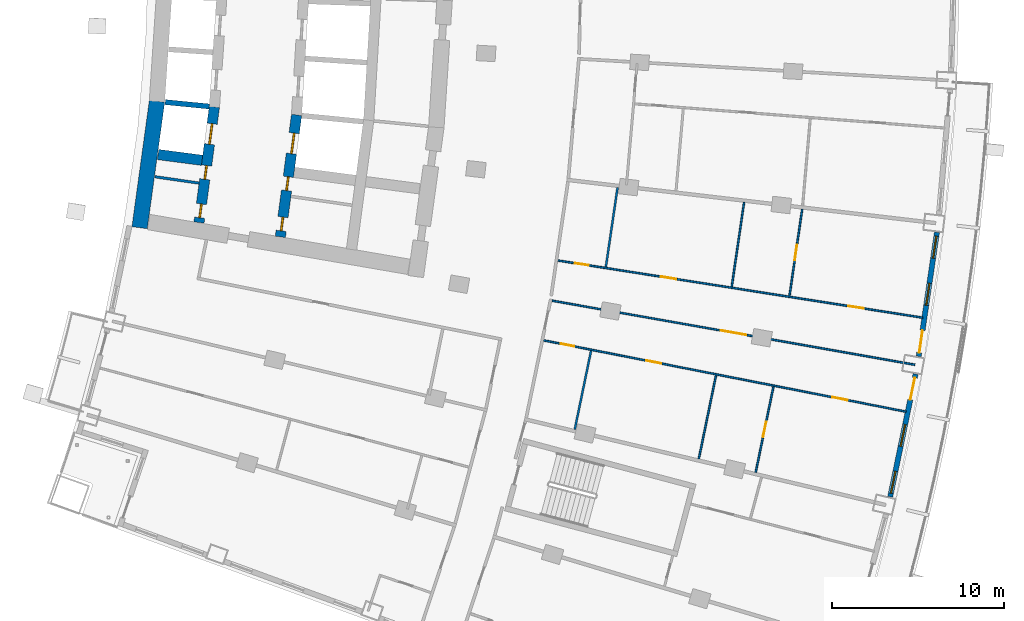
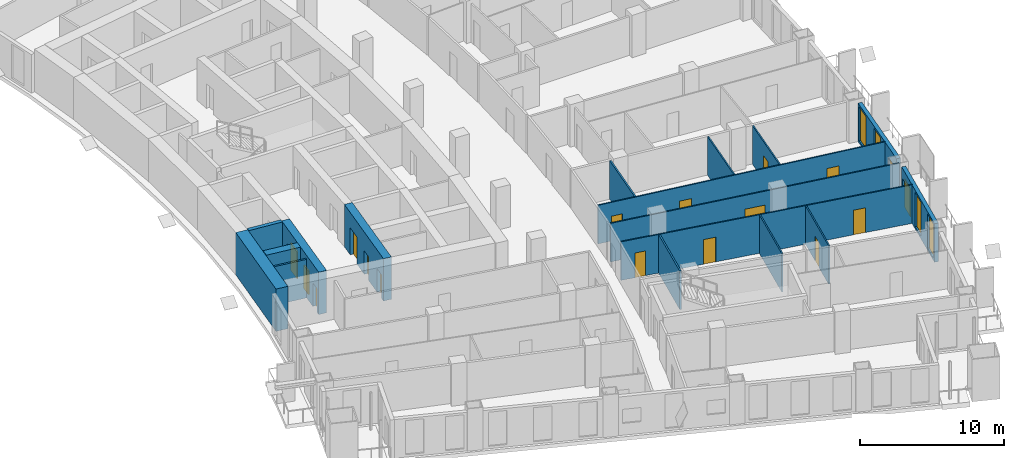
# One storey, part 15 of 25: 17 doors, 17 walls, 4 windows, 21 openings.
"""IFC4 building model written with IfcOpenShell, lengths in metres."""

from ifc_helpers import new_model, si_unit, direction, frame, frame_2d, origin, place, context, subcontext, project, spatial, rectangle, extrude, material, layer, layer_set, type_object, element, fill, save


model = new_model("IFC4")

# Units and contexts
model_context = context("Model", 3, precision=1e-05, world=origin(), true_north=direction((0.0, 1.0)))
body_context = subcontext(model_context, "Body", "Model", "MODEL_VIEW")
ifc_project = project(units=[si_unit("LENGTHUNIT", "METRE"), si_unit("AREAUNIT", "SQUARE_METRE"), si_unit("VOLUMEUNIT", "CUBIC_METRE"), si_unit("PLANEANGLEUNIT", "RADIAN"), si_unit("MASSUNIT", "GRAM", prefix="KILO")], contexts=[model_context])

# Site, building, storey
site_placement = place(None, origin())
site = spatial("IfcSite", under=ifc_project, at=site_placement, CompositionType="ELEMENT")
building_placement = place(site_placement, origin())
building = spatial("IfcBuilding", under=site, at=building_placement, Name="Alderwake Tower", CompositionType="ELEMENT")
storey_placement = place(building_placement, frame((0.0, 0.0, 60.800048828125)))
storey = spatial("IfcBuildingStorey", under=building, at=storey_placement, Name="L14", CompositionType="ELEMENT", Elevation=60.800048828125)

# Walls
ifc_material_1 = material(Name="Gypsum shaft wall system, rated")
ifc_layer_1 = layer(ifc_material_1, 0.14990234375)
ifc_layer_set_1 = layer_set([ifc_layer_1], Name="Core room partition 150")
wall_type_1 = type_object("IfcWallType", Name="Core room partition 150", PredefinedType="PARTITIONING", material=ifc_layer_set_1)
wall_1_placement = place(storey_placement, frame((16.361328125, 47.08203125, 0.0), z_axis=(0.0, 0.0, 1.0), x_axis=(0.989733250733, -0.142926877787, 0.0)))
element("IfcWall", 1, at=wall_1_placement, inside=storey, type_object=wall_type_1, Name="CW/L14/PR-150_+0", PredefinedType="PARTITIONING", context=body_context, shape_type="SweptSolid", body=[
    extrude(rectangle(XDim=2.587890625, YDim=0.14990234375, at=frame_2d((1.2939453125, 0.0))), origin(), (0.0, 0.0, 1.0), 3.280029296875),
])
ifc_material_2 = material(Name="Concrete C70/85", Category="concrete")
ifc_layer_2 = layer(ifc_material_2, 0.89990234375)
ifc_layer_set_2 = layer_set([ifc_layer_2], Name="Core wall outer 900 C70-85")
wall_type_2 = type_object("IfcWallType", Name="Core wall outer 900 C70-85", PredefinedType="SHEAR", material=ifc_layer_set_2)
wall_2_placement = place(storey_placement, frame((15.46923828125, 44.1201171875, 0.0), z_axis=(0.0, 0.0, 1.0), x_axis=(0.136337234661, 0.990662484626, 0.0)))
element("IfcWall", 2, at=wall_2_placement, inside=storey, type_object=wall_type_2, Name="Core wall CW.042", PredefinedType="SHEAR", context=body_context, shape_type="SweptSolid", body=[
    extrude(rectangle(XDim=7.431396484375, YDim=0.89990234375, at=frame_2d((3.7158203125, 0.0))), origin(), (0.0, 0.0, 1.0), 3.599853515625),
])
ifc_material_3 = material(Name="Concrete C70/85", Category="concrete")
ifc_layer_3 = layer(ifc_material_3, 0.300048828125)
ifc_layer_set_3 = layer_set([ifc_layer_3], Name="Core wall shaft 300 C70-85")
wall_type_3 = type_object("IfcWallType", Name="Core wall shaft 300 C70-85", PredefinedType="SHEAR", material=ifc_layer_set_3)
wall_3_placement = place(storey_placement, frame((16.9580078125, 51.4189453125, 0.0), z_axis=(0.0, 0.0, 1.0), x_axis=(0.995153154577, -0.098337169657, 0.0)))
element("IfcWall", 3, at=wall_3_placement, inside=storey, type_object=wall_type_3, Name="Core wall CW.065", PredefinedType="SHEAR", context=body_context, shape_type="SweptSolid", body=[
    extrude(rectangle(XDim=2.569580078125, YDim=0.300048828125, at=frame_2d((1.28466796875, 0.0))), origin(), (0.0, 0.0, 1.0), 3.599853515625),
])

# Wall, openings, doors
ifc_material_4 = material(Name="Concrete C70/85", Category="concrete")
ifc_layer_4 = layer(ifc_material_4, 0.60009765625)
ifc_layer_set_4 = layer_set([ifc_layer_4], Name="Core wall spine 600 C70-85")
wall_type_4 = type_object("IfcWallType", Name="Core wall spine 600 C70-85", PredefinedType="SHEAR", material=ifc_layer_set_4)
wall_4_placement = place(storey_placement, frame((19.815185546875, 51.14697265625, 0.0), z_axis=(0.0, 0.0, 1.0), x_axis=(-0.131854836214, -0.991269036219, 0.0)))
wall_4 = element("IfcWall", 4, at=wall_4_placement, inside=storey, type_object=wall_type_4, Name="Core wall CW.033", PredefinedType="SHEAR", context=body_context, shape_type="SweptSolid", body=[
    extrude(rectangle(XDim=6.782470703125, YDim=0.60009765625, at=frame_2d((3.39111328125, 0.0))), origin(), (0.0, 0.0, 1.0), 3.599853515625),
])
opening_1_placement = place(wall_4_placement, frame((0.9921875, 0.0, 0.0)))
opening_1 = element("IfcOpeningElement", 5, at=opening_1_placement, cuts=wall_4, Name="Opening LD-LP1", PredefinedType="OPENING", context=body_context, shape_type="SweptSolid", body=[
    extrude(rectangle(XDim=1.199951171875, YDim=2.300048828125, at=frame_2d((0.60009765625, 1.14990234375))), frame((0.0, 0.31005859375, 0.0), z_axis=(0.0, -1.0, 0.0), x_axis=(1.0, 0.0, 0.0)), (0.0, 0.0, 1.0), 0.6201171875),
])
opening_2_placement = place(wall_4_placement, frame((5.699951171875, 0.0, 0.0)))
opening_2 = element("IfcOpeningElement", 6, at=opening_2_placement, cuts=wall_4, Name="Opening C008", PredefinedType="OPENING", context=body_context, shape_type="SweptSolid", body=[
    extrude(rectangle(XDim=0.800048828125, YDim=2.0, at=frame_2d((0.39990234375, 1.0))), frame((0.0, 0.31005859375, 0.0), z_axis=(0.0, -1.0, 0.0), x_axis=(1.0, 0.0, 0.0)), (0.0, 0.0, 1.0), 0.6201171875),
])
opening_3_placement = place(wall_4_placement, frame((3.4462890625, 0.0, 0.0)))
opening_3 = element("IfcOpeningElement", 7, at=opening_3_placement, cuts=wall_4, Name="Opening C012", PredefinedType="OPENING", context=body_context, shape_type="SweptSolid", body=[
    extrude(rectangle(XDim=0.800048828125, YDim=2.0, at=frame_2d((0.39990234375, 1.0))), frame((0.0, 0.31005859375, 0.0), z_axis=(0.0, -1.0, 0.0), x_axis=(1.0, 0.0, 0.0)), (0.0, 0.0, 1.0), 0.6201171875),
])
ifc_material_5 = material(Name="Stainless steel sliding leaf", Category="steel")
door_type_1 = type_object("IfcDoorType", Name="Lift landing door 1200", OperationType="SLIDING_TO_LEFT", PredefinedType="DOOR", material=ifc_material_5)
door_1_placement = place(opening_1_placement, origin())
door_1 = element("IfcDoor", 8, at=door_1_placement, inside=storey, type_object=door_type_1, Name="Lift landing door LP1", OperationType="SLIDING_TO_LEFT", OverallHeight=2.300048828125, OverallWidth=1.199951171875, PredefinedType="DOOR", context=body_context, shape_type="SweptSolid", body=[
    extrude(rectangle(XDim=1.199951171875, YDim=2.300048828125, at=frame_2d((0.60009765625, 1.14990234375))), frame((0.0, 0.050048828125, 0.0), z_axis=(0.0, -1.0, 0.0), x_axis=(1.0, 0.0, 0.0)), (0.0, 0.0, 1.0), 0.10009765625),
])
fill(opening_1, door_1)
ifc_material_6 = material(Name="Painted steel leaf, rated", Category="steel")
door_type_2 = type_object("IfcDoorType", Name="Riser access door 800", OperationType="SINGLE_SWING_LEFT", PredefinedType="DOOR", material=ifc_material_6)
door_2_placement = place(opening_2_placement, origin())
door_2 = element("IfcDoor", 9, at=door_2_placement, inside=storey, type_object=door_type_2, Name="Riser access door", OperationType="SINGLE_SWING_LEFT", OverallHeight=2.0, OverallWidth=0.800048828125, PredefinedType="DOOR", context=body_context, shape_type="SweptSolid", body=[
    extrude(rectangle(XDim=0.800048828125, YDim=2.0, at=frame_2d((0.39990234375, 1.0))), frame((0.0, 0.050048828125, 0.0), z_axis=(0.0, -1.0, 0.0), x_axis=(1.0, 0.0, 0.0)), (0.0, 0.0, 1.0), 0.10009765625),
])
fill(opening_2, door_2)
door_3_placement = place(opening_3_placement, origin())
door_3 = element("IfcDoor", 10, at=door_3_placement, inside=storey, type_object=door_type_2, Name="Riser access door", OperationType="SINGLE_SWING_RIGHT", OverallHeight=2.0, OverallWidth=0.800048828125, PredefinedType="DOOR", context=body_context, shape_type="SweptSolid", body=[
    extrude(rectangle(XDim=0.800048828125, YDim=2.0, at=frame_2d((0.39990234375, 1.0))), frame((0.0, 0.050048828125, 0.0), z_axis=(0.0, -1.0, 0.0), x_axis=(1.0, 0.0, 0.0)), (0.0, 0.0, 1.0), 0.10009765625),
])
fill(opening_3, door_3)

wall_5_placement = place(storey_placement, frame((23.647705078125, 43.588134765625, 0.0), z_axis=(0.0, 0.0, 1.0), x_axis=(0.132069785658, 0.991240420744, 0.0)))
wall_5 = element("IfcWall", 11, at=wall_5_placement, inside=storey, type_object=wall_type_4, Name="Core wall CW.047", PredefinedType="SHEAR", context=body_context, shape_type="SweptSolid", body=[
    extrude(rectangle(XDim=7.150390625, YDim=0.60009765625, at=frame_2d((3.5751953125, 0.0))), origin(), (0.0, 0.0, 1.0), 3.599853515625),
])
opening_4_placement = place(wall_5_placement, frame((4.88134765625, 0.0, 0.0)))
opening_4 = element("IfcOpeningElement", 12, at=opening_4_placement, cuts=wall_5, Name="Opening LD-LP4", PredefinedType="OPENING", context=body_context, shape_type="SweptSolid", body=[
    extrude(rectangle(XDim=1.199951171875, YDim=2.300048828125, at=frame_2d((0.60009765625, 1.14990234375))), frame((0.0, 0.31005859375, 0.0), z_axis=(0.0, -1.0, 0.0), x_axis=(1.0, 0.0, 0.0)), (0.0, 0.0, 1.0), 0.6201171875),
])
opening_5_placement = place(wall_5_placement, frame((0.35791015625, 0.0, 0.0)))
opening_5 = element("IfcOpeningElement", 13, at=opening_5_placement, cuts=wall_5, Name="Opening C015", PredefinedType="OPENING", context=body_context, shape_type="SweptSolid", body=[
    extrude(rectangle(XDim=0.800048828125, YDim=2.0, at=frame_2d((0.39990234375, 1.0))), frame((0.0, 0.31005859375, 0.0), z_axis=(0.0, -1.0, 0.0), x_axis=(1.0, 0.0, 0.0)), (0.0, 0.0, 1.0), 0.6201171875),
])
opening_6_placement = place(wall_5_placement, frame((2.719482421875, 0.0, 0.0)))
opening_6 = element("IfcOpeningElement", 14, at=opening_6_placement, cuts=wall_5, Name="Opening C019", PredefinedType="OPENING", context=body_context, shape_type="SweptSolid", body=[
    extrude(rectangle(XDim=0.800048828125, YDim=2.0, at=frame_2d((0.39990234375, 1.0))), frame((0.0, 0.31005859375, 0.0), z_axis=(0.0, -1.0, 0.0), x_axis=(1.0, 0.0, 0.0)), (0.0, 0.0, 1.0), 0.6201171875),
])
door_4_placement = place(opening_4_placement, origin())
door_4 = element("IfcDoor", 15, at=door_4_placement, inside=storey, type_object=door_type_1, Name="Lift landing door LP4", OperationType="SLIDING_TO_LEFT", OverallHeight=2.300048828125, OverallWidth=1.199951171875, PredefinedType="DOOR", context=body_context, shape_type="SweptSolid", body=[
    extrude(rectangle(XDim=1.199951171875, YDim=2.300048828125, at=frame_2d((0.60009765625, 1.14990234375))), frame((0.0, 0.050048828125, 0.0), z_axis=(0.0, -1.0, 0.0), x_axis=(1.0, 0.0, 0.0)), (0.0, 0.0, 1.0), 0.10009765625),
])
fill(opening_4, door_4)
door_5_placement = place(opening_5_placement, origin())
door_5 = element("IfcDoor", 16, at=door_5_placement, inside=storey, type_object=door_type_2, Name="Riser access door", OperationType="SINGLE_SWING_LEFT", OverallHeight=2.0, OverallWidth=0.800048828125, PredefinedType="DOOR", context=body_context, shape_type="SweptSolid", body=[
    extrude(rectangle(XDim=0.800048828125, YDim=2.0, at=frame_2d((0.39990234375, 1.0))), frame((0.0, 0.050048828125, 0.0), z_axis=(0.0, -1.0, 0.0), x_axis=(1.0, 0.0, 0.0)), (0.0, 0.0, 1.0), 0.10009765625),
])
fill(opening_5, door_5)
door_6_placement = place(opening_6_placement, origin())
door_6 = element("IfcDoor", 17, at=door_6_placement, inside=storey, type_object=door_type_2, Name="Riser access door", OperationType="SINGLE_SWING_RIGHT", OverallHeight=2.0, OverallWidth=0.800048828125, PredefinedType="DOOR", context=body_context, shape_type="SweptSolid", body=[
    extrude(rectangle(XDim=0.800048828125, YDim=2.0, at=frame_2d((0.39990234375, 1.0))), frame((0.0, 0.050048828125, 0.0), z_axis=(0.0, -1.0, 0.0), x_axis=(1.0, 0.0, 0.0)), (0.0, 0.0, 1.0), 0.10009765625),
])
fill(opening_6, door_6)

# Wall
wall_6_placement = place(storey_placement, frame((16.5390625, 48.373291015625, 0.0), z_axis=(0.0, 0.0, 1.0), x_axis=(0.99156081818, -0.129642369037, 0.0)))
element("IfcWall", 18, at=wall_6_placement, inside=storey, type_object=wall_type_4, Name="Core wall CW.067", PredefinedType="SHEAR", context=body_context, shape_type="SweptSolid", body=[
    extrude(rectangle(XDim=2.581787109375, YDim=0.60009765625, at=frame_2d((1.291015625, 0.0))), origin(), (0.0, 0.0, 1.0), 3.599853515625),
])

# Wall, openings, door, windows
ifc_material_7 = material(Name="Precast concrete C50/60 spandrel panel", Category="concrete")
ifc_layer_5 = layer(ifc_material_7, 0.300048828125)
ifc_layer_set_5 = layer_set([ifc_layer_5], Name="External wall EW1 Precast concrete C50/60 spandrel")
wall_type_5 = type_object("IfcWallType", Name="External wall EW1 Precast concrete C50/60 spandrel", PredefinedType="SOLIDWALL", material=ifc_layer_set_5)
wall_7_placement = place(storey_placement, frame((59.085205078125, 28.483642578125, 0.0), z_axis=(0.0, 0.0, 1.0), x_axis=(0.202751929138, 0.979230133948, 0.0)))
wall_7 = element("IfcWall", 19, at=wall_7_placement, inside=storey, type_object=wall_type_5, Name="External wall 13", PredefinedType="SOLIDWALL", context=body_context, shape_type="SweptSolid", body=[
    extrude(rectangle(XDim=7.28271484375, YDim=0.300048828125, at=frame_2d((3.641357421875, 0.0))), origin(), (0.0, 0.0, 1.0), 3.280029296875),
])
opening_7_placement = place(wall_7_placement, frame((0.218994140625, 0.0, 0.199951171875)))
opening_7 = element("IfcOpeningElement", 20, at=opening_7_placement, cuts=wall_7, Name="Opening W1", PredefinedType="OPENING", context=body_context, shape_type="SweptSolid", body=[
    extrude(rectangle(XDim=1.300048828125, YDim=2.89990234375, at=frame_2d((0.64990234375, 1.449951171875))), frame((0.0, 0.159912109375, 0.0), z_axis=(0.0, -1.0, 0.0), x_axis=(1.0, 0.0, 0.0)), (0.0, 0.0, 1.0), 0.320068359375),
])
opening_8_placement = place(wall_7_placement, frame((2.9912109375, 0.0, 0.199951171875)))
opening_8 = element("IfcOpeningElement", 21, at=opening_8_placement, cuts=wall_7, Name="Opening W1", PredefinedType="OPENING", context=body_context, shape_type="SweptSolid", body=[
    extrude(rectangle(XDim=1.300048828125, YDim=2.89990234375, at=frame_2d((0.64990234375, 1.449951171875))), frame((0.0, 0.159912109375, 0.0), z_axis=(0.0, -1.0, 0.0), x_axis=(1.0, 0.0, 0.0)), (0.0, 0.0, 1.0), 0.320068359375),
])
opening_9_placement = place(wall_7_placement, frame((5.763671875, 0.0, 0.0)))
opening_9 = element("IfcOpeningElement", 22, at=opening_9_placement, cuts=wall_7, Name="Opening D04", PredefinedType="OPENING", context=body_context, shape_type="SweptSolid", body=[
    extrude(rectangle(XDim=1.300048828125, YDim=2.39990234375, at=frame_2d((0.64990234375, 1.199951171875))), frame((0.0, 0.159912109375, 0.0), z_axis=(0.0, -1.0, 0.0), x_axis=(1.0, 0.0, 0.0)), (0.0, 0.0, 1.0), 0.320068359375),
])
ifc_material_8 = material(Name="Bronze tinted glass in aluminium frame", Category="aluminium")
door_type_3 = type_object("IfcDoorType", Name="Balcony door BD sliding", OperationType="SLIDING_TO_LEFT", PredefinedType="DOOR", material=ifc_material_8)
door_7_placement = place(opening_9_placement, origin())
door_7 = element("IfcDoor", 23, at=door_7_placement, inside=storey, type_object=door_type_3, Name="Door D04", OperationType="SLIDING_TO_LEFT", OverallHeight=2.39990234375, OverallWidth=1.300048828125, PredefinedType="DOOR", context=body_context, shape_type="SweptSolid", body=[
    extrude(rectangle(XDim=1.300048828125, YDim=2.39990234375, at=frame_2d((0.64990234375, 1.199951171875))), frame((0.0, 0.02490234375, 0.0), z_axis=(0.0, -1.0, 0.0), x_axis=(1.0, 0.0, 0.0)), (0.0, 0.0, 1.0), 0.050048828125),
])
fill(opening_9, door_7)
ifc_material_9 = material(Name="Bronze tinted glass in aluminium frame", Category="aluminium")
window_type = type_object("IfcWindowType", Name="Window W1 tall fixed and vent", PartitioningType="DOUBLE_PANEL_VERTICAL", PredefinedType="WINDOW", material=ifc_material_9)
window_1_placement = place(opening_7_placement, origin())
window_1 = element("IfcWindow", 24, at=window_1_placement, inside=storey, type_object=window_type, Name="Window W1 tall fixed and vent", OverallHeight=2.89990234375, OverallWidth=1.300048828125, PartitioningType="DOUBLE_PANEL_VERTICAL", PredefinedType="WINDOW", context=body_context, shape_type="SweptSolid", body=[
    extrude(rectangle(XDim=1.300048828125, YDim=2.89990234375, at=frame_2d((0.64990234375, 1.449951171875))), frame((0.0, 0.030029296875, 0.0), z_axis=(0.0, -1.0, 0.0), x_axis=(1.0, 0.0, 0.0)), (0.0, 0.0, 1.0), 0.06005859375),
])
fill(opening_7, window_1)
window_2_placement = place(opening_8_placement, origin())
window_2 = element("IfcWindow", 25, at=window_2_placement, inside=storey, type_object=window_type, Name="Window W1 tall fixed and vent", OverallHeight=2.89990234375, OverallWidth=1.300048828125, PartitioningType="DOUBLE_PANEL_VERTICAL", PredefinedType="WINDOW", context=body_context, shape_type="SweptSolid", body=[
    extrude(rectangle(XDim=1.300048828125, YDim=2.89990234375, at=frame_2d((0.64990234375, 1.449951171875))), frame((0.0, 0.030029296875, 0.0), z_axis=(0.0, -1.0, 0.0), x_axis=(1.0, 0.0, 0.0)), (0.0, 0.0, 1.0), 0.06005859375),
])
fill(opening_8, window_2)

wall_8_placement = place(storey_placement, frame((60.744384765625, 36.647705078125, 0.0), z_axis=(0.0, 0.0, 1.0), x_axis=(0.14532991295, 0.989383250516, 0.0)))
wall_8 = element("IfcWall", 26, at=wall_8_placement, inside=storey, type_object=wall_type_5, Name="External wall 14", PredefinedType="SOLIDWALL", context=body_context, shape_type="SweptSolid", body=[
    extrude(rectangle(XDim=7.282470703125, YDim=0.300048828125, at=frame_2d((3.64111328125, 0.0))), origin(), (0.0, 0.0, 1.0), 3.280029296875),
])
opening_10_placement = place(wall_8_placement, frame((0.218994140625, 0.0, 0.0)))
opening_10 = element("IfcOpeningElement", 27, at=opening_10_placement, cuts=wall_8, Name="Opening D05", PredefinedType="OPENING", context=body_context, shape_type="SweptSolid", body=[
    extrude(rectangle(XDim=1.300048828125, YDim=2.39990234375, at=frame_2d((0.64990234375, 1.199951171875))), frame((0.0, 0.159912109375, 0.0), z_axis=(0.0, -1.0, 0.0), x_axis=(1.0, 0.0, 0.0)), (0.0, 0.0, 1.0), 0.320068359375),
])
opening_11_placement = place(wall_8_placement, frame((2.9912109375, 0.0, 0.199951171875)))
opening_11 = element("IfcOpeningElement", 28, at=opening_11_placement, cuts=wall_8, Name="Opening W1", PredefinedType="OPENING", context=body_context, shape_type="SweptSolid", body=[
    extrude(rectangle(XDim=1.300048828125, YDim=2.89990234375, at=frame_2d((0.64990234375, 1.449951171875))), frame((0.0, 0.159912109375, 0.0), z_axis=(0.0, -1.0, 0.0), x_axis=(1.0, 0.0, 0.0)), (0.0, 0.0, 1.0), 0.320068359375),
])
opening_12_placement = place(wall_8_placement, frame((5.763671875, 0.0, 0.199951171875)))
opening_12 = element("IfcOpeningElement", 29, at=opening_12_placement, cuts=wall_8, Name="Opening W1", PredefinedType="OPENING", context=body_context, shape_type="SweptSolid", body=[
    extrude(rectangle(XDim=1.300048828125, YDim=2.89990234375, at=frame_2d((0.64990234375, 1.449951171875))), frame((0.0, 0.159912109375, 0.0), z_axis=(0.0, -1.0, 0.0), x_axis=(1.0, 0.0, 0.0)), (0.0, 0.0, 1.0), 0.320068359375),
])
door_8_placement = place(opening_10_placement, origin())
door_8 = element("IfcDoor", 30, at=door_8_placement, inside=storey, type_object=door_type_3, Name="Door D05", OperationType="SLIDING_TO_LEFT", OverallHeight=2.39990234375, OverallWidth=1.300048828125, PredefinedType="DOOR", context=body_context, shape_type="SweptSolid", body=[
    extrude(rectangle(XDim=1.300048828125, YDim=2.39990234375, at=frame_2d((0.64990234375, 1.199951171875))), frame((0.0, 0.02490234375, 0.0), z_axis=(0.0, -1.0, 0.0), x_axis=(1.0, 0.0, 0.0)), (0.0, 0.0, 1.0), 0.050048828125),
])
fill(opening_10, door_8)
window_3_placement = place(opening_11_placement, origin())
window_3 = element("IfcWindow", 31, at=window_3_placement, inside=storey, type_object=window_type, Name="Window W1 tall fixed and vent", OverallHeight=2.89990234375, OverallWidth=1.300048828125, PartitioningType="DOUBLE_PANEL_VERTICAL", PredefinedType="WINDOW", context=body_context, shape_type="SweptSolid", body=[
    extrude(rectangle(XDim=1.300048828125, YDim=2.89990234375, at=frame_2d((0.64990234375, 1.449951171875))), frame((0.0, 0.030029296875, 0.0), z_axis=(0.0, -1.0, 0.0), x_axis=(1.0, 0.0, 0.0)), (0.0, 0.0, 1.0), 0.06005859375),
])
fill(opening_11, window_3)
window_4_placement = place(opening_12_placement, origin())
window_4 = element("IfcWindow", 32, at=window_4_placement, inside=storey, type_object=window_type, Name="Window W1 tall fixed and vent", OverallHeight=2.89990234375, OverallWidth=1.300048828125, PartitioningType="DOUBLE_PANEL_VERTICAL", PredefinedType="WINDOW", context=body_context, shape_type="SweptSolid", body=[
    extrude(rectangle(XDim=1.300048828125, YDim=2.89990234375, at=frame_2d((0.64990234375, 1.449951171875))), frame((0.0, 0.030029296875, 0.0), z_axis=(0.0, -1.0, 0.0), x_axis=(1.0, 0.0, 0.0)), (0.0, 0.0, 1.0), 0.06005859375),
])
fill(opening_12, window_4)

# Wall, openings, doors
ifc_material_10 = material(Name="Gypsum board on metal studs")
ifc_layer_6 = layer(ifc_material_10, 0.10009765625)
ifc_layer_set_6 = layer_set([ifc_layer_6], Name="Unit partition 100")
wall_type_6 = type_object("IfcWallType", Name="Unit partition 100", PredefinedType="PARTITIONING", material=ifc_layer_set_6)
wall_9_placement = place(storey_placement, frame((60.009033203125, 33.428955078125, 0.0), z_axis=(0.0, 0.0, 1.0), x_axis=(-0.981171141016, 0.193140342852, 0.0)))
wall_9 = element("IfcWall", 33, at=wall_9_placement, inside=storey, type_object=wall_type_6, Name="WL/L14/W66", PredefinedType="PARTITIONING", context=body_context, shape_type="SweptSolid", body=[
    extrude(rectangle(XDim=21.463623046875, YDim=0.10009765625, at=frame_2d((10.73193359375, 0.0))), origin(), (0.0, 0.0, 1.0), 3.280029296875),
])
opening_13_placement = place(wall_9_placement, frame((14.493408203125, 0.0, 0.0)))
opening_13 = element("IfcOpeningElement", 34, at=opening_13_placement, cuts=wall_9, Name="Opening R03-U05.1", PredefinedType="OPENING", context=body_context, shape_type="SweptSolid", body=[
    extrude(rectangle(XDim=0.89990234375, YDim=2.10009765625, at=frame_2d((0.449951171875, 1.050048828125))), frame((0.0, 0.06005859375, 0.0), z_axis=(0.0, -1.0, 0.0), x_axis=(1.0, 0.0, 0.0)), (0.0, 0.0, 1.0), 0.1201171875),
])
opening_14_placement = place(wall_9_placement, frame((19.654296875, 0.0, 0.0)))
opening_14 = element("IfcOpeningElement", 35, at=opening_14_placement, cuts=wall_9, Name="Opening R03-U05.4", PredefinedType="OPENING", context=body_context, shape_type="SweptSolid", body=[
    extrude(rectangle(XDim=0.800048828125, YDim=2.10009765625, at=frame_2d((0.39990234375, 1.050048828125))), frame((0.0, 0.06005859375, 0.0), z_axis=(0.0, -1.0, 0.0), x_axis=(1.0, 0.0, 0.0)), (0.0, 0.0, 1.0), 0.1201171875),
])
opening_15_placement = place(wall_9_placement, frame((3.47265625, 0.0, 0.0)))
opening_15 = element("IfcOpeningElement", 36, at=opening_15_placement, cuts=wall_9, Name="Opening R03-U05.5", PredefinedType="OPENING", context=body_context, shape_type="SweptSolid", body=[
    extrude(rectangle(XDim=0.89990234375, YDim=2.10009765625, at=frame_2d((0.449951171875, 1.050048828125))), frame((0.0, 0.06005859375, 0.0), z_axis=(0.0, -1.0, 0.0), x_axis=(1.0, 0.0, 0.0)), (0.0, 0.0, 1.0), 0.1201171875),
])
ifc_material_11 = material(Name="Painted timber leaf", Category="wood")
door_type_4 = type_object("IfcDoorType", Name="Bathroom door 800", OperationType="SINGLE_SWING_LEFT", PredefinedType="DOOR", material=ifc_material_11)
door_9_placement = place(opening_14_placement, origin())
door_9 = element("IfcDoor", 37, at=door_9_placement, inside=storey, type_object=door_type_4, Name="DR/L14/U05.4", OperationType="SINGLE_SWING_LEFT", OverallHeight=2.10009765625, OverallWidth=0.800048828125, PredefinedType="DOOR", context=body_context, shape_type="SweptSolid", body=[
    extrude(rectangle(XDim=0.800048828125, YDim=2.10009765625, at=frame_2d((0.39990234375, 1.050048828125))), frame((0.0, 0.02490234375, 0.0), z_axis=(0.0, -1.0, 0.0), x_axis=(1.0, 0.0, 0.0)), (0.0, 0.0, 1.0), 0.050048828125),
])
fill(opening_14, door_9)
ifc_material_12 = material(Name="Painted timber leaf", Category="wood")
door_type_5 = type_object("IfcDoorType", Name="Room door 900", OperationType="SINGLE_SWING_LEFT", PredefinedType="DOOR", material=ifc_material_12)
door_10_placement = place(opening_13_placement, origin())
door_10 = element("IfcDoor", 38, at=door_10_placement, inside=storey, type_object=door_type_5, Name="DR/L14/U05.1", OperationType="SINGLE_SWING_LEFT", OverallHeight=2.10009765625, OverallWidth=0.89990234375, PredefinedType="DOOR", context=body_context, shape_type="SweptSolid", body=[
    extrude(rectangle(XDim=0.89990234375, YDim=2.10009765625, at=frame_2d((0.449951171875, 1.050048828125))), frame((0.0, 0.02490234375, 0.0), z_axis=(0.0, -1.0, 0.0), x_axis=(1.0, 0.0, 0.0)), (0.0, 0.0, 1.0), 0.050048828125),
])
fill(opening_13, door_10)
door_11_placement = place(opening_15_placement, origin())
door_11 = element("IfcDoor", 39, at=door_11_placement, inside=storey, type_object=door_type_5, Name="DR/L14/U05.5", OperationType="SINGLE_SWING_LEFT", OverallHeight=2.10009765625, OverallWidth=0.89990234375, PredefinedType="DOOR", context=body_context, shape_type="SweptSolid", body=[
    extrude(rectangle(XDim=0.89990234375, YDim=2.10009765625, at=frame_2d((0.449951171875, 1.050048828125))), frame((0.0, 0.02490234375, 0.0), z_axis=(0.0, -1.0, 0.0), x_axis=(1.0, 0.0, 0.0)), (0.0, 0.0, 1.0), 0.050048828125),
])
fill(opening_15, door_11)

wall_10_placement = place(storey_placement, frame((39.76904296875, 42.215576171875, 0.0), z_axis=(0.0, 0.0, 1.0), x_axis=(0.987940583593, -0.154833469542, 0.0)))
wall_10 = element("IfcWall", 40, at=wall_10_placement, inside=storey, type_object=wall_type_6, Name="WL/L14/W69", PredefinedType="PARTITIONING", context=body_context, shape_type="SweptSolid", body=[
    extrude(rectangle(XDim=21.46484375, YDim=0.10009765625, at=frame_2d((10.732421875, 0.0))), origin(), (0.0, 0.0, 1.0), 3.280029296875),
])
opening_16_placement = place(wall_10_placement, frame((6.0712890625, 0.0, 0.0)))
opening_16 = element("IfcOpeningElement", 41, at=opening_16_placement, cuts=wall_10, Name="Opening R03-U05.6", PredefinedType="OPENING", context=body_context, shape_type="SweptSolid", body=[
    extrude(rectangle(XDim=0.89990234375, YDim=2.10009765625, at=frame_2d((0.449951171875, 1.050048828125))), frame((0.0, 0.06005859375, 0.0), z_axis=(0.0, -1.0, 0.0), x_axis=(1.0, 0.0, 0.0)), (0.0, 0.0, 1.0), 0.1201171875),
])
opening_17_placement = place(wall_10_placement, frame((1.010009765625, 0.0, 0.0)))
opening_17 = element("IfcOpeningElement", 42, at=opening_17_placement, cuts=wall_10, Name="Opening R03-U05.7", PredefinedType="OPENING", context=body_context, shape_type="SweptSolid", body=[
    extrude(rectangle(XDim=0.800048828125, YDim=2.10009765625, at=frame_2d((0.39990234375, 1.050048828125))), frame((0.0, 0.06005859375, 0.0), z_axis=(0.0, -1.0, 0.0), x_axis=(1.0, 0.0, 0.0)), (0.0, 0.0, 1.0), 0.1201171875),
])
opening_18_placement = place(wall_10_placement, frame((17.092041015625, 0.0, 0.0)))
opening_18 = element("IfcOpeningElement", 43, at=opening_18_placement, cuts=wall_10, Name="Opening R03-U05.8", PredefinedType="OPENING", context=body_context, shape_type="SweptSolid", body=[
    extrude(rectangle(XDim=0.89990234375, YDim=2.10009765625, at=frame_2d((0.449951171875, 1.050048828125))), frame((0.0, 0.06005859375, 0.0), z_axis=(0.0, -1.0, 0.0), x_axis=(1.0, 0.0, 0.0)), (0.0, 0.0, 1.0), 0.1201171875),
])
door_12_placement = place(opening_17_placement, origin())
door_12 = element("IfcDoor", 44, at=door_12_placement, inside=storey, type_object=door_type_4, Name="DR/L14/U05.7", OperationType="SINGLE_SWING_LEFT", OverallHeight=2.10009765625, OverallWidth=0.800048828125, PredefinedType="DOOR", context=body_context, shape_type="SweptSolid", body=[
    extrude(rectangle(XDim=0.800048828125, YDim=2.10009765625, at=frame_2d((0.39990234375, 1.050048828125))), frame((0.0, 0.02490234375, 0.0), z_axis=(0.0, -1.0, 0.0), x_axis=(1.0, 0.0, 0.0)), (0.0, 0.0, 1.0), 0.050048828125),
])
fill(opening_17, door_12)
door_13_placement = place(opening_16_placement, origin())
door_13 = element("IfcDoor", 45, at=door_13_placement, inside=storey, type_object=door_type_5, Name="DR/L14/U05.6", OperationType="SINGLE_SWING_LEFT", OverallHeight=2.10009765625, OverallWidth=0.89990234375, PredefinedType="DOOR", context=body_context, shape_type="SweptSolid", body=[
    extrude(rectangle(XDim=0.89990234375, YDim=2.10009765625, at=frame_2d((0.449951171875, 1.050048828125))), frame((0.0, 0.02490234375, 0.0), z_axis=(0.0, -1.0, 0.0), x_axis=(1.0, 0.0, 0.0)), (0.0, 0.0, 1.0), 0.050048828125),
])
fill(opening_16, door_13)
door_14_placement = place(opening_18_placement, origin())
door_14 = element("IfcDoor", 46, at=door_14_placement, inside=storey, type_object=door_type_5, Name="DR/L14/U05.8", OperationType="SINGLE_SWING_LEFT", OverallHeight=2.10009765625, OverallWidth=0.89990234375, PredefinedType="DOOR", context=body_context, shape_type="SweptSolid", body=[
    extrude(rectangle(XDim=0.89990234375, YDim=2.10009765625, at=frame_2d((0.449951171875, 1.050048828125))), frame((0.0, 0.02490234375, 0.0), z_axis=(0.0, -1.0, 0.0), x_axis=(1.0, 0.0, 0.0)), (0.0, 0.0, 1.0), 0.050048828125),
])
fill(opening_18, door_14)

# Walls
wall_11_placement = place(storey_placement, frame((47.96337890625, 30.69189453125, 0.0), z_axis=(0.0, 0.0, 1.0), x_axis=(0.202431544222, 0.979296415752, 0.0)))
element("IfcWall", 47, at=wall_11_placement, inside=storey, type_object=wall_type_6, Name="WL/L14/W77", PredefinedType="PARTITIONING", context=body_context, shape_type="SweptSolid", body=[
    extrude(rectangle(XDim=4.962890625, YDim=0.10009765625, at=frame_2d((2.4814453125, 0.0))), origin(), (0.0, 0.0, 1.0), 3.280029296875),
])
wall_12_placement = place(storey_placement, frame((49.876220703125, 40.681396484375, 0.0), z_axis=(0.0, 0.0, 1.0), x_axis=(0.144862585886, 0.989451783166, 0.0)))
element("IfcWall", 48, at=wall_12_placement, inside=storey, type_object=wall_type_6, Name="WL/L14/W79", PredefinedType="PARTITIONING", context=body_context, shape_type="SweptSolid", body=[
    extrude(rectangle(XDim=4.965087890625, YDim=0.10009765625, at=frame_2d((2.482421875, 0.0))), origin(), (0.0, 0.0, 1.0), 3.280029296875),
])

# Wall, opening, door
wall_13_placement = place(storey_placement, frame((51.269287109375, 29.906005859375, 0.0), z_axis=(0.0, 0.0, 1.0), x_axis=(0.20302230098, 0.979174113886, 0.0)))
wall_13 = element("IfcWall", 49, at=wall_13_placement, inside=storey, type_object=wall_type_6, Name="WL/L14/W83", PredefinedType="PARTITIONING", context=body_context, shape_type="SweptSolid", body=[
    extrude(rectangle(XDim=5.09521484375, YDim=0.10009765625, at=frame_2d((2.547607421875, 0.0))), origin(), (0.0, 0.0, 1.0), 3.280029296875),
])
opening_19_placement = place(wall_13_placement, frame((2.09765625, 0.0, 0.0)))
opening_19 = element("IfcOpeningElement", 50, at=opening_19_placement, cuts=wall_13, Name="Opening R03-U05.2", PredefinedType="OPENING", context=body_context, shape_type="SweptSolid", body=[
    extrude(rectangle(XDim=0.89990234375, YDim=2.10009765625, at=frame_2d((0.449951171875, 1.050048828125))), frame((0.0, 0.06005859375, 0.0), z_axis=(0.0, -1.0, 0.0), x_axis=(1.0, 0.0, 0.0)), (0.0, 0.0, 1.0), 0.1201171875),
])
door_15_placement = place(opening_19_placement, origin())
door_15 = element("IfcDoor", 51, at=door_15_placement, inside=storey, type_object=door_type_5, Name="DR/L14/U05.2", OperationType="SINGLE_SWING_LEFT", OverallHeight=2.10009765625, OverallWidth=0.89990234375, PredefinedType="DOOR", context=body_context, shape_type="SweptSolid", body=[
    extrude(rectangle(XDim=0.89990234375, YDim=2.10009765625, at=frame_2d((0.449951171875, 1.050048828125))), frame((0.0, 0.02490234375, 0.0), z_axis=(0.0, -1.0, 0.0), x_axis=(1.0, 0.0, 0.0)), (0.0, 0.0, 1.0), 0.050048828125),
])
fill(opening_19, door_15)

wall_14_placement = place(storey_placement, frame((53.2333984375, 40.156494140625, 0.0), z_axis=(0.0, 0.0, 1.0), x_axis=(0.145223628797, 0.9893988567, 0.0)))
wall_14 = element("IfcWall", 52, at=wall_14_placement, inside=storey, type_object=wall_type_6, Name="WL/L14/W85", PredefinedType="PARTITIONING", context=body_context, shape_type="SweptSolid", body=[
    extrude(rectangle(XDim=5.095458984375, YDim=0.10009765625, at=frame_2d((2.5478515625, 0.0))), origin(), (0.0, 0.0, 1.0), 3.280029296875),
])
opening_20_placement = place(wall_14_placement, frame((2.097900390625, 0.0, 0.0)))
opening_20 = element("IfcOpeningElement", 53, at=opening_20_placement, cuts=wall_14, Name="Opening R03-U05.9", PredefinedType="OPENING", context=body_context, shape_type="SweptSolid", body=[
    extrude(rectangle(XDim=0.89990234375, YDim=2.10009765625, at=frame_2d((0.449951171875, 1.050048828125))), frame((0.0, 0.06005859375, 0.0), z_axis=(0.0, -1.0, 0.0), x_axis=(1.0, 0.0, 0.0)), (0.0, 0.0, 1.0), 0.1201171875),
])
door_16_placement = place(opening_20_placement, origin())
door_16 = element("IfcDoor", 54, at=door_16_placement, inside=storey, type_object=door_type_5, Name="DR/L14/U05.9", OperationType="SINGLE_SWING_LEFT", OverallHeight=2.10009765625, OverallWidth=0.89990234375, PredefinedType="DOOR", context=body_context, shape_type="SweptSolid", body=[
    extrude(rectangle(XDim=0.89990234375, YDim=2.10009765625, at=frame_2d((0.449951171875, 1.050048828125))), frame((0.0, 0.02490234375, 0.0), z_axis=(0.0, -1.0, 0.0), x_axis=(1.0, 0.0, 0.0)), (0.0, 0.0, 1.0), 0.050048828125),
])
fill(opening_20, door_16)

wall_15_placement = place(storey_placement, frame((39.4267578125, 39.883056640625, 0.0), z_axis=(0.0, 0.0, 1.0), x_axis=(0.984744519695, -0.174006410603, 0.0)))
wall_15 = element("IfcWall", 55, at=wall_15_placement, inside=storey, type_object=wall_type_6, Name="WL/L14/W90", PredefinedType="PARTITIONING", context=body_context, shape_type="SweptSolid", body=[
    extrude(rectangle(XDim=21.4189453125, YDim=0.10009765625, at=frame_2d((10.70947265625, 0.0))), origin(), (0.0, 0.0, 1.0), 3.280029296875),
])
opening_21_placement = place(wall_15_placement, frame((9.95947265625, 0.0, 0.0)))
opening_21 = element("IfcOpeningElement", 56, at=opening_21_placement, cuts=wall_15, Name="Opening R03-U05.10", PredefinedType="OPENING", context=body_context, shape_type="SweptSolid", body=[
    extrude(rectangle(XDim=1.5, YDim=2.10009765625, at=frame_2d((0.75, 1.050048828125))), frame((0.0, 0.06005859375, 0.0), z_axis=(0.0, -1.0, 0.0), x_axis=(1.0, 0.0, 0.0)), (0.0, 0.0, 1.0), 0.1201171875),
])
ifc_material_13 = material(Name="Painted timber leaves", Category="wood")
door_type_6 = type_object("IfcDoorType", Name="Double leaf door 1500", OperationType="DOUBLE_DOOR_SINGLE_SWING", PredefinedType="DOOR", material=ifc_material_13)
door_17_placement = place(opening_21_placement, origin())
door_17 = element("IfcDoor", 57, at=door_17_placement, inside=storey, type_object=door_type_6, Name="DR/L14/U05.10", OperationType="DOUBLE_DOOR_SINGLE_SWING", OverallHeight=2.10009765625, OverallWidth=1.5, PredefinedType="DOOR", context=body_context, shape_type="SweptSolid", body=[
    extrude(rectangle(XDim=1.5, YDim=2.10009765625, at=frame_2d((0.75, 1.050048828125))), frame((0.0, 0.02490234375, 0.0), z_axis=(0.0, -1.0, 0.0), x_axis=(1.0, 0.0, 0.0)), (0.0, 0.0, 1.0), 0.050048828125),
])
fill(opening_21, door_17)

# Walls
ifc_material_14 = material(Name="Moisture resistant gypsum board on metal studs")
ifc_layer_7 = layer(ifc_material_14, 0.1201171875)
ifc_layer_set_7 = layer_set([ifc_layer_7], Name="Wet room partition 120")
wall_type_7 = type_object("IfcWallType", Name="Wet room partition 120", PredefinedType="PARTITIONING", material=ifc_layer_set_7)
wall_16_placement = place(storey_placement, frame((40.75732421875, 32.402099609375, 0.0), z_axis=(0.0, 0.0, 1.0), x_axis=(0.202555554597, 0.97927077323, 0.0)))
element("IfcWall", 58, at=wall_16_placement, inside=storey, type_object=wall_type_7, Name="WL/L14/W52", PredefinedType="PARTITIONING", context=body_context, shape_type="SweptSolid", body=[
    extrude(rectangle(XDim=4.677734375, YDim=0.1201171875, at=frame_2d((2.3388671875, 0.0))), origin(), (0.0, 0.0, 1.0), 3.280029296875),
])
wall_17_placement = place(storey_placement, frame((42.562255859375, 41.83056640625, 0.0), z_axis=(0.0, 0.0, 1.0), x_axis=(0.145515042, 0.989356039326, 0.0)))
element("IfcWall", 59, at=wall_17_placement, inside=storey, type_object=wall_type_7, Name="WL/L14/W54", PredefinedType="PARTITIONING", context=body_context, shape_type="SweptSolid", body=[
    extrude(rectangle(XDim=4.67431640625, YDim=0.1201171875, at=frame_2d((2.337158203125, 0.0))), origin(), (0.0, 0.0, 1.0), 3.280029296875),
])

save(model, "model.ifc")
